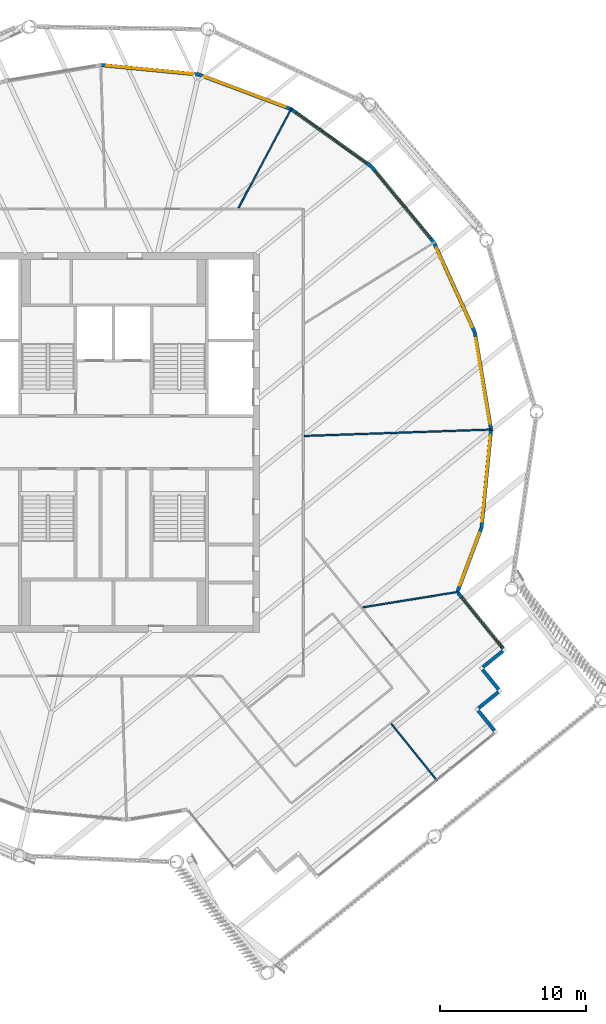
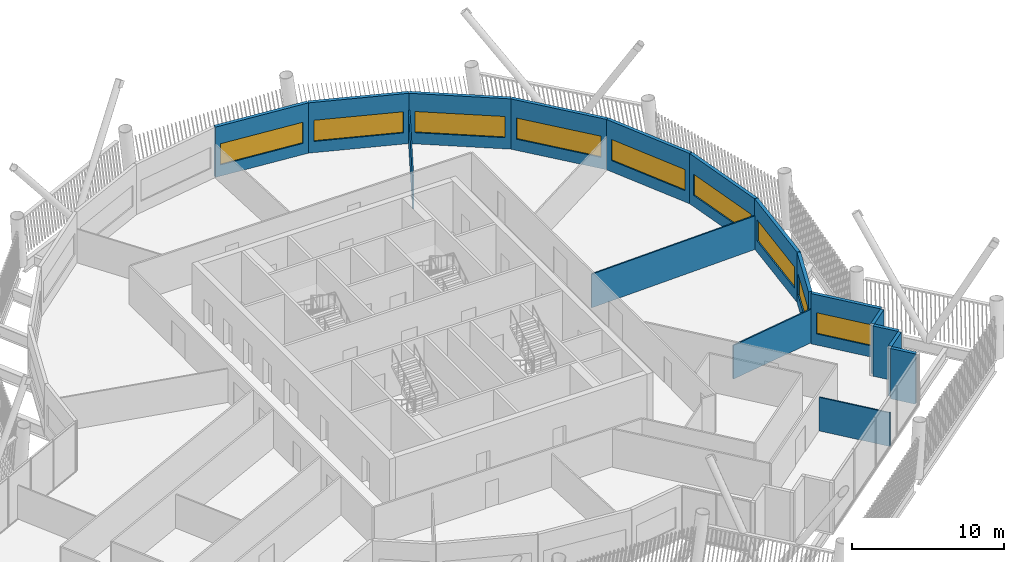
# One storey, part 21 of 36: 17 walls, 9 windows, 9 openings.
"""IFC4 building model written with IfcOpenShell, lengths in metres."""

from ifc_helpers import new_model, si_unit, direction, frame, frame_2d, origin, place, context, subcontext, project, spatial, rectangle, extrude, material, layer, layer_set, type_object, element, fill, save


model = new_model("IFC4")

# Units and contexts
model_context = context("Model", 3, precision=1e-05, world=origin(), true_north=direction((0.0, 1.0)))
body_context = subcontext(model_context, "Body", "Model", "MODEL_VIEW")
ifc_project = project(units=[si_unit("LENGTHUNIT", "METRE"), si_unit("AREAUNIT", "SQUARE_METRE"), si_unit("VOLUMEUNIT", "CUBIC_METRE"), si_unit("PLANEANGLEUNIT", "RADIAN"), si_unit("MASSUNIT", "GRAM", prefix="KILO")], contexts=[model_context])

# Site, building, storey
site_placement = place(None, origin())
site = spatial("IfcSite", under=ifc_project, at=site_placement, CompositionType="ELEMENT")
building_placement = place(site_placement, origin())
building = spatial("IfcBuilding", under=site, at=building_placement, Name="Tarsis Ring Headquarters", CompositionType="ELEMENT")
storey_placement = place(building_placement, frame((0.0, 0.0, 386.0)))
storey = spatial("IfcBuildingStorey", under=building, at=storey_placement, Name="L91", CompositionType="ELEMENT", Elevation=386.0)

# Walls
ifc_material_1 = material(Name="Gypsum board on steel studs", Category="steel")
ifc_layer_1 = layer(ifc_material_1, 0.10009765625)
ifc_layer_set_1 = layer_set([ifc_layer_1], Name="FL partition 100 unrated")
wall_type_1 = type_object("IfcWallType", Name="FL partition 100 unrated", PredefinedType="PARTITIONING", material=ifc_layer_set_1)
wall_1_placement = place(storey_placement, frame((13.070068359375, 0.447265625, 0.0), z_axis=(0.0, 0.0, 1.0), x_axis=(0.999414932167, 0.034202242056, 0.0)))
element("IfcWall", 1, at=wall_1_placement, inside=storey, type_object=wall_type_1, Name="Partition PW3", PredefinedType="PARTITIONING", context=body_context, shape_type="SweptSolid", body=[
    extrude(rectangle(XDim=12.8701171875, YDim=0.10009765625, at=frame_2d((6.43505859375, 0.0))), origin(), (0.0, 0.0, 1.0), 2.699951171875),
])
wall_2_placement = place(storey_placement, frame((8.56396484375, 16.079345703125, 0.0), z_axis=(0.0, 0.0, 1.0), x_axis=(0.470083265354, 0.882622072936, 0.0)))
element("IfcWall", 2, at=wall_2_placement, inside=storey, type_object=wall_type_1, Name="Partition PW3", PredefinedType="PARTITIONING", context=body_context, shape_type="SweptSolid", body=[
    extrude(rectangle(XDim=7.72998046875, YDim=0.10009765625, at=frame_2d((3.864990234375, 0.0))), origin(), (0.0, 0.0, 1.0), 2.699951171875),
])
wall_3_placement = place(storey_placement, frame((17.06689453125, -11.2939453125, 0.0), z_axis=(0.0, 0.0, 1.0), x_axis=(0.987107994005, 0.160055640859, 0.0)))
element("IfcWall", 3, at=wall_3_placement, inside=storey, type_object=wall_type_1, Name="Partition PW3", PredefinedType="PARTITIONING", context=body_context, shape_type="SweptSolid", body=[
    extrude(rectangle(XDim=6.629150390625, YDim=0.10009765625, at=frame_2d((3.314453125, 0.0))), origin(), (0.0, 0.0, 1.0), 2.699951171875),
])
wall_4_placement = place(storey_placement, frame((19.021728515625, -19.277099609375, 0.0), z_axis=(0.0, 0.0, 1.0), x_axis=(0.628765496687, -0.777594978235, 0.0)))
element("IfcWall", 4, at=wall_4_placement, inside=storey, type_object=wall_type_1, Name="Partition PW3", PredefinedType="PARTITIONING", context=body_context, shape_type="SweptSolid", body=[
    extrude(rectangle(XDim=5.0, YDim=0.10009765625, at=frame_2d((2.5, 0.0))), origin(), (0.0, 0.0, 1.0), 2.699951171875),
])
ifc_material_2 = material(Name="Terracotta clad insulated panel wall", Category="masonry")
ifc_layer_2 = layer(ifc_material_2, 0.25)
ifc_layer_set_2 = layer_set([ifc_layer_2], Name="Facade wall terracotta panel 250")
wall_type_2 = type_object("IfcWallType", Name="Facade wall terracotta panel 250", PredefinedType="STANDARD", material=ifc_layer_set_2)
for number, where, z_axis, x_axis, name in (
    (5, (26.087158203125, -19.73681640625, 0.0), (0.0, 0.0, 1.0), (-0.628752662273, 0.777605356003, 0.0), "External wall L91-12"),
    (6, (25.00537109375, -18.2001953125, 0.0), (0.0, 0.0, 1.0), (0.777605356003, 0.628752662273, 0.0), "External wall L91-13"),
    (7, (26.384765625, -16.924072265625, 0.0), (0.0, 0.0, 1.0), (-0.628752662273, 0.777605356003, 0.0), "External wall L91-14"),
    (8, (25.302978515625, -15.387451171875, 0.0), (0.0, 0.0, 1.0), (0.777605356003, 0.628752662273, 0.0), "External wall L91-15"),
):
    element("IfcWall", number, at=place(storey_placement, frame(where, z_axis=z_axis, x_axis=x_axis)), inside=storey, type_object=wall_type_2, Name=name, PredefinedType="STANDARD", context=body_context, shape_type="SweptSolid", body=[
        extrude(rectangle(XDim=1.75, YDim=0.25, at=frame_2d((0.875, 0.0))), origin(), (0.0, 0.0, 1.0), 4.0400390625),
    ])

# Wall, opening, window
wall_5_placement = place(storey_placement, frame((26.682373046875, -14.111328125, 0.0), z_axis=(0.0, 0.0, 1.0), x_axis=(-0.628762523619, 0.777597382256, 0.0)))
wall_5 = element("IfcWall", 9, at=wall_5_placement, inside=storey, type_object=wall_type_2, Name="External wall L91-16", PredefinedType="STANDARD", context=body_context, shape_type="SweptSolid", body=[
    extrude(rectangle(XDim=4.9013671875, YDim=0.25, at=frame_2d((2.45068359375, 0.0))), origin(), (0.0, 0.0, 1.0), 4.0400390625),
])
opening_1_placement = place(wall_5_placement, frame((0.150634765625, 0.0, 0.89990234375)))
opening_1 = element("IfcOpeningElement", 10, at=opening_1_placement, cuts=wall_5, Name="Opening WN03", PredefinedType="OPENING", context=body_context, shape_type="SweptSolid", body=[
    extrude(rectangle(XDim=4.35009765625, YDim=1.699951171875, at=frame_2d((2.175048828125, 0.85009765625))), frame((0.0, 0.135009765625, 0.0), z_axis=(0.0, -1.0, 0.0), x_axis=(1.0, 0.0, 0.0)), (0.0, 0.0, 1.0), 0.27001953125),
])
ifc_material_3 = material(Name="Aluminium framed double glazing", Category="aluminium")
window_type_1 = type_object("IfcWindowType", Name="Facade window 4350 x 1700", PartitioningType="SINGLE_PANEL", PredefinedType="WINDOW", material=ifc_material_3)
window_1_placement = place(opening_1_placement, origin())
window_1 = element("IfcWindow", 11, at=window_1_placement, inside=storey, type_object=window_type_1, Name="Window L91-16.1", OverallHeight=1.699951171875, OverallWidth=4.35009765625, PartitioningType="SINGLE_PANEL", PredefinedType="WINDOW", context=body_context, shape_type="SweptSolid", body=[
    extrude(rectangle(XDim=4.35009765625, YDim=1.699951171875, at=frame_2d((2.175048828125, 0.85009765625))), frame((0.0, 0.030029296875, 0.0), z_axis=(0.0, -1.0, 0.0), x_axis=(1.0, 0.0, 0.0)), (0.0, 0.0, 1.0), 0.06005859375),
])
fill(opening_1, window_1)

wall_6_placement = place(storey_placement, frame((23.580810546875, -10.177734375, 0.0), z_axis=(0.0, 0.0, 1.0), x_axis=(0.350827946135, 0.936439935186, 0.0)))
wall_6 = element("IfcWall", 12, at=wall_6_placement, inside=storey, type_object=wall_type_2, Name="External wall L91-17", PredefinedType="STANDARD", context=body_context, shape_type="SweptSolid", body=[
    extrude(rectangle(XDim=4.617919921875, YDim=0.25, at=frame_2d((2.30908203125, 0.0))), origin(), (0.0, 0.0, 1.0), 4.0400390625),
])
opening_2_placement = place(wall_6_placement, frame((0.400390625, 0.0, 0.89990234375)))
opening_2 = element("IfcOpeningElement", 13, at=opening_2_placement, cuts=wall_6, Name="Opening WN02", PredefinedType="OPENING", context=body_context, shape_type="SweptSolid", body=[
    extrude(rectangle(XDim=3.85009765625, YDim=1.699951171875, at=frame_2d((1.925048828125, 0.85009765625))), frame((0.0, 0.135009765625, 0.0), z_axis=(0.0, -1.0, 0.0), x_axis=(1.0, 0.0, 0.0)), (0.0, 0.0, 1.0), 0.27001953125),
])
window_type_2 = type_object("IfcWindowType", Name="Facade window 3850 x 1700", PartitioningType="SINGLE_PANEL", PredefinedType="WINDOW", material=ifc_material_3)
window_2_placement = place(opening_2_placement, origin())
window_2 = element("IfcWindow", 14, at=window_2_placement, inside=storey, type_object=window_type_2, Name="Window L91-17.1", OverallHeight=1.699951171875, OverallWidth=3.85009765625, PartitioningType="SINGLE_PANEL", PredefinedType="WINDOW", context=body_context, shape_type="SweptSolid", body=[
    extrude(rectangle(XDim=3.85009765625, YDim=1.699951171875, at=frame_2d((1.925048828125, 0.85009765625))), frame((0.0, 0.030029296875, 0.0), z_axis=(0.0, -1.0, 0.0), x_axis=(1.0, 0.0, 0.0)), (0.0, 0.0, 1.0), 0.06005859375),
])
fill(opening_2, window_2)

wall_7_placement = place(storey_placement, frame((25.208251953125, -5.821533203125, 0.0), z_axis=(0.0, 0.0, 1.0), x_axis=(0.096543584226, 0.995328757921, 0.0)))
wall_7 = element("IfcWall", 15, at=wall_7_placement, inside=storey, type_object=wall_type_2, Name="External wall L91-18", PredefinedType="STANDARD", context=body_context, shape_type="SweptSolid", body=[
    extrude(rectangle(XDim=6.7216796875, YDim=0.25, at=frame_2d((3.36083984375, 0.0))), origin(), (0.0, 0.0, 1.0), 4.0400390625),
])
opening_3_placement = place(wall_7_placement, frame((0.3857421875, 0.0, 0.89990234375)))
opening_3 = element("IfcOpeningElement", 16, at=opening_3_placement, cuts=wall_7, Name="Opening WN07", PredefinedType="OPENING", context=body_context, shape_type="SweptSolid", body=[
    extrude(rectangle(XDim=5.949951171875, YDim=1.699951171875, at=frame_2d((2.97509765625, 0.85009765625))), frame((0.0, 0.135009765625, 0.0), z_axis=(0.0, -1.0, 0.0), x_axis=(1.0, 0.0, 0.0)), (0.0, 0.0, 1.0), 0.27001953125),
])
window_type_3 = type_object("IfcWindowType", Name="Facade window 5950 x 1700", PartitioningType="SINGLE_PANEL", PredefinedType="WINDOW", material=ifc_material_3)
window_3_placement = place(opening_3_placement, origin())
window_3 = element("IfcWindow", 17, at=window_3_placement, inside=storey, type_object=window_type_3, Name="Window L91-18.1", OverallHeight=1.699951171875, OverallWidth=5.949951171875, PartitioningType="SINGLE_PANEL", PredefinedType="WINDOW", context=body_context, shape_type="SweptSolid", body=[
    extrude(rectangle(XDim=5.949951171875, YDim=1.699951171875, at=frame_2d((2.97509765625, 0.85009765625))), frame((0.0, 0.030029296875, 0.0), z_axis=(0.0, -1.0, 0.0), x_axis=(1.0, 0.0, 0.0)), (0.0, 0.0, 1.0), 0.06005859375),
])
fill(opening_3, window_3)

wall_8_placement = place(storey_placement, frame((25.85595703125, 0.901123046875, 0.0), z_axis=(0.0, 0.0, 1.0), x_axis=(-0.164357756606, 0.98640079473, 0.0)))
wall_8 = element("IfcWall", 18, at=wall_8_placement, inside=storey, type_object=wall_type_2, Name="External wall L91-19", PredefinedType="STANDARD", context=body_context, shape_type="SweptSolid", body=[
    extrude(rectangle(XDim=6.721435546875, YDim=0.25, at=frame_2d((3.36083984375, 0.0))), origin(), (0.0, 0.0, 1.0), 4.0400390625),
])
opening_4_placement = place(wall_8_placement, frame((0.3857421875, 0.0, 0.89990234375)))
opening_4 = element("IfcOpeningElement", 19, at=opening_4_placement, cuts=wall_8, Name="Opening WN07", PredefinedType="OPENING", context=body_context, shape_type="SweptSolid", body=[
    extrude(rectangle(XDim=5.949951171875, YDim=1.699951171875, at=frame_2d((2.97509765625, 0.85009765625))), frame((0.0, 0.135009765625, 0.0), z_axis=(0.0, -1.0, 0.0), x_axis=(1.0, 0.0, 0.0)), (0.0, 0.0, 1.0), 0.27001953125),
])
window_4_placement = place(opening_4_placement, origin())
window_4 = element("IfcWindow", 20, at=window_4_placement, inside=storey, type_object=window_type_3, Name="Window L91-19.1", OverallHeight=1.699951171875, OverallWidth=5.949951171875, PartitioningType="SINGLE_PANEL", PredefinedType="WINDOW", context=body_context, shape_type="SweptSolid", body=[
    extrude(rectangle(XDim=5.949951171875, YDim=1.699951171875, at=frame_2d((2.97509765625, 0.85009765625))), frame((0.0, 0.030029296875, 0.0), z_axis=(0.0, -1.0, 0.0), x_axis=(1.0, 0.0, 0.0)), (0.0, 0.0, 1.0), 0.06005859375),
])
fill(opening_4, window_4)

wall_9_placement = place(storey_placement, frame((24.74169921875, 7.5625, 0.0), z_axis=(0.0, 0.0, 1.0), x_axis=(-0.414032803659, 0.910261960918, 0.0)))
wall_9 = element("IfcWall", 21, at=wall_9_placement, inside=storey, type_object=wall_type_2, Name="External wall L91-20", PredefinedType="STANDARD", context=body_context, shape_type="SweptSolid", body=[
    extrude(rectangle(XDim=6.7216796875, YDim=0.25, at=frame_2d((3.36083984375, 0.0))), origin(), (0.0, 0.0, 1.0), 4.0400390625),
])
opening_5_placement = place(wall_9_placement, frame((0.3857421875, 0.0, 0.89990234375)))
opening_5 = element("IfcOpeningElement", 22, at=opening_5_placement, cuts=wall_9, Name="Opening WN07", PredefinedType="OPENING", context=body_context, shape_type="SweptSolid", body=[
    extrude(rectangle(XDim=5.949951171875, YDim=1.699951171875, at=frame_2d((2.97509765625, 0.85009765625))), frame((0.0, 0.135009765625, 0.0), z_axis=(0.0, -1.0, 0.0), x_axis=(1.0, 0.0, 0.0)), (0.0, 0.0, 1.0), 0.27001953125),
])
window_5_placement = place(opening_5_placement, origin())
window_5 = element("IfcWindow", 23, at=window_5_placement, inside=storey, type_object=window_type_3, Name="Window L91-20.1", OverallHeight=1.699951171875, OverallWidth=5.949951171875, PartitioningType="SINGLE_PANEL", PredefinedType="WINDOW", context=body_context, shape_type="SweptSolid", body=[
    extrude(rectangle(XDim=5.949951171875, YDim=1.699951171875, at=frame_2d((2.97509765625, 0.85009765625))), frame((0.0, 0.030029296875, 0.0), z_axis=(0.0, -1.0, 0.0), x_axis=(1.0, 0.0, 0.0)), (0.0, 0.0, 1.0), 0.06005859375),
])
fill(opening_5, window_5)

wall_10_placement = place(storey_placement, frame((21.94140625, 13.70849609375, 0.0), z_axis=(0.0, 0.0, 1.0), x_axis=(-0.635535360375, 0.772071762023, 0.0)))
wall_10 = element("IfcWall", 24, at=wall_10_placement, inside=storey, type_object=wall_type_2, Name="External wall L91-21", PredefinedType="STANDARD", context=body_context, shape_type="SweptSolid", body=[
    extrude(rectangle(XDim=6.721435546875, YDim=0.25, at=frame_2d((3.36083984375, 0.0))), origin(), (0.0, 0.0, 1.0), 4.0400390625),
])
opening_6_placement = place(wall_10_placement, frame((0.3857421875, 0.0, 0.89990234375)))
opening_6 = element("IfcOpeningElement", 25, at=opening_6_placement, cuts=wall_10, Name="Opening WN07", PredefinedType="OPENING", context=body_context, shape_type="SweptSolid", body=[
    extrude(rectangle(XDim=5.949951171875, YDim=1.699951171875, at=frame_2d((2.97509765625, 0.85009765625))), frame((0.0, 0.135009765625, 0.0), z_axis=(0.0, -1.0, 0.0), x_axis=(1.0, 0.0, 0.0)), (0.0, 0.0, 1.0), 0.27001953125),
])
window_6_placement = place(opening_6_placement, origin())
window_6 = element("IfcWindow", 26, at=window_6_placement, inside=storey, type_object=window_type_3, Name="Window L91-21.1", OverallHeight=1.699951171875, OverallWidth=5.949951171875, PartitioningType="SINGLE_PANEL", PredefinedType="WINDOW", context=body_context, shape_type="SweptSolid", body=[
    extrude(rectangle(XDim=5.949951171875, YDim=1.699951171875, at=frame_2d((2.97509765625, 0.85009765625))), frame((0.0, 0.030029296875, 0.0), z_axis=(0.0, -1.0, 0.0), x_axis=(1.0, 0.0, 0.0)), (0.0, 0.0, 1.0), 0.06005859375),
])
fill(opening_6, window_6)

wall_11_placement = place(storey_placement, frame((17.645751953125, 18.920166015625, 0.0), z_axis=(0.0, 0.0, 1.0), x_axis=(-0.81370647355, 0.581275988582, 0.0)))
wall_11 = element("IfcWall", 27, at=wall_11_placement, inside=storey, type_object=wall_type_2, Name="External wall L91-22", PredefinedType="STANDARD", context=body_context, shape_type="SweptSolid", body=[
    extrude(rectangle(XDim=6.721435546875, YDim=0.25, at=frame_2d((3.36083984375, 0.0))), origin(), (0.0, 0.0, 1.0), 4.0400390625),
])
opening_7_placement = place(wall_11_placement, frame((0.3857421875, 0.0, 0.89990234375)))
opening_7 = element("IfcOpeningElement", 28, at=opening_7_placement, cuts=wall_11, Name="Opening WN07", PredefinedType="OPENING", context=body_context, shape_type="SweptSolid", body=[
    extrude(rectangle(XDim=5.949951171875, YDim=1.699951171875, at=frame_2d((2.97509765625, 0.85009765625))), frame((0.0, 0.135009765625, 0.0), z_axis=(0.0, -1.0, 0.0), x_axis=(1.0, 0.0, 0.0)), (0.0, 0.0, 1.0), 0.27001953125),
])
window_7_placement = place(opening_7_placement, origin())
window_7 = element("IfcWindow", 29, at=window_7_placement, inside=storey, type_object=window_type_3, Name="Window L91-22.1", OverallHeight=1.699951171875, OverallWidth=5.949951171875, PartitioningType="SINGLE_PANEL", PredefinedType="WINDOW", context=body_context, shape_type="SweptSolid", body=[
    extrude(rectangle(XDim=5.949951171875, YDim=1.699951171875, at=frame_2d((2.97509765625, 0.85009765625))), frame((0.0, 0.030029296875, 0.0), z_axis=(0.0, -1.0, 0.0), x_axis=(1.0, 0.0, 0.0)), (0.0, 0.0, 1.0), 0.06005859375),
])
fill(opening_7, window_7)

wall_12_placement = place(storey_placement, frame((12.147705078125, 22.842529296875, 0.0), z_axis=(0.0, 0.0, 1.0), x_axis=(-0.93642765517, 0.350860722556, 0.0)))
wall_12 = element("IfcWall", 30, at=wall_12_placement, inside=storey, type_object=wall_type_2, Name="External wall L91-23", PredefinedType="STANDARD", context=body_context, shape_type="SweptSolid", body=[
    extrude(rectangle(XDim=6.7216796875, YDim=0.25, at=frame_2d((3.36083984375, 0.0))), origin(), (0.0, 0.0, 1.0), 4.0400390625),
])
opening_8_placement = place(wall_12_placement, frame((0.3857421875, 0.0, 0.89990234375)))
opening_8 = element("IfcOpeningElement", 31, at=opening_8_placement, cuts=wall_12, Name="Opening WN07", PredefinedType="OPENING", context=body_context, shape_type="SweptSolid", body=[
    extrude(rectangle(XDim=5.949951171875, YDim=1.699951171875, at=frame_2d((2.97509765625, 0.85009765625))), frame((0.0, 0.135009765625, 0.0), z_axis=(0.0, -1.0, 0.0), x_axis=(1.0, 0.0, 0.0)), (0.0, 0.0, 1.0), 0.27001953125),
])
window_8_placement = place(opening_8_placement, origin())
window_8 = element("IfcWindow", 32, at=window_8_placement, inside=storey, type_object=window_type_3, Name="Window L91-23.1", OverallHeight=1.699951171875, OverallWidth=5.949951171875, PartitioningType="SINGLE_PANEL", PredefinedType="WINDOW", context=body_context, shape_type="SweptSolid", body=[
    extrude(rectangle(XDim=5.949951171875, YDim=1.699951171875, at=frame_2d((2.97509765625, 0.85009765625))), frame((0.0, 0.030029296875, 0.0), z_axis=(0.0, -1.0, 0.0), x_axis=(1.0, 0.0, 0.0)), (0.0, 0.0, 1.0), 0.06005859375),
])
fill(opening_8, window_8)

wall_13_placement = place(storey_placement, frame((5.821533203125, 25.208251953125, 0.0), z_axis=(0.0, 0.0, 1.0), x_axis=(-0.995328757921, 0.096543584226, 0.0)))
wall_13 = element("IfcWall", 33, at=wall_13_placement, inside=storey, type_object=wall_type_2, Name="External wall L91-24", PredefinedType="STANDARD", context=body_context, shape_type="SweptSolid", body=[
    extrude(rectangle(XDim=6.7216796875, YDim=0.25, at=frame_2d((3.36083984375, 0.0))), origin(), (0.0, 0.0, 1.0), 4.0400390625),
])
opening_9_placement = place(wall_13_placement, frame((0.3857421875, 0.0, 0.89990234375)))
opening_9 = element("IfcOpeningElement", 34, at=opening_9_placement, cuts=wall_13, Name="Opening WN07", PredefinedType="OPENING", context=body_context, shape_type="SweptSolid", body=[
    extrude(rectangle(XDim=5.949951171875, YDim=1.699951171875, at=frame_2d((2.97509765625, 0.85009765625))), frame((0.0, 0.135009765625, 0.0), z_axis=(0.0, -1.0, 0.0), x_axis=(1.0, 0.0, 0.0)), (0.0, 0.0, 1.0), 0.27001953125),
])
window_9_placement = place(opening_9_placement, origin())
window_9 = element("IfcWindow", 35, at=window_9_placement, inside=storey, type_object=window_type_3, Name="Window L91-24.1", OverallHeight=1.699951171875, OverallWidth=5.949951171875, PartitioningType="SINGLE_PANEL", PredefinedType="WINDOW", context=body_context, shape_type="SweptSolid", body=[
    extrude(rectangle(XDim=5.949951171875, YDim=1.699951171875, at=frame_2d((2.97509765625, 0.85009765625))), frame((0.0, 0.030029296875, 0.0), z_axis=(0.0, -1.0, 0.0), x_axis=(1.0, 0.0, 0.0)), (0.0, 0.0, 1.0), 0.06005859375),
])
fill(opening_9, window_9)

save(model, "model.ifc")
